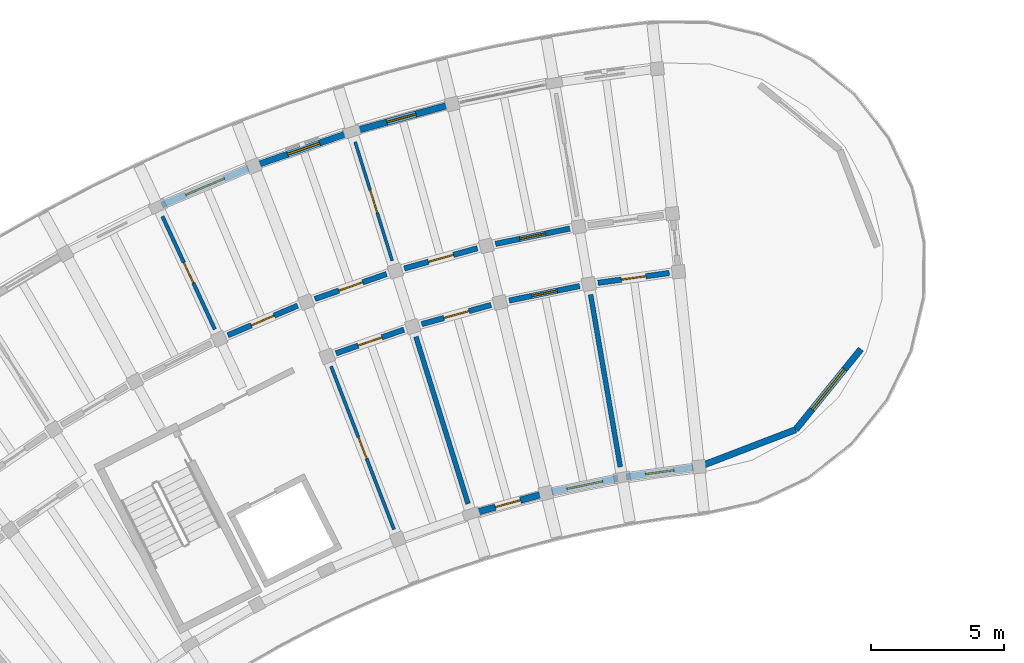
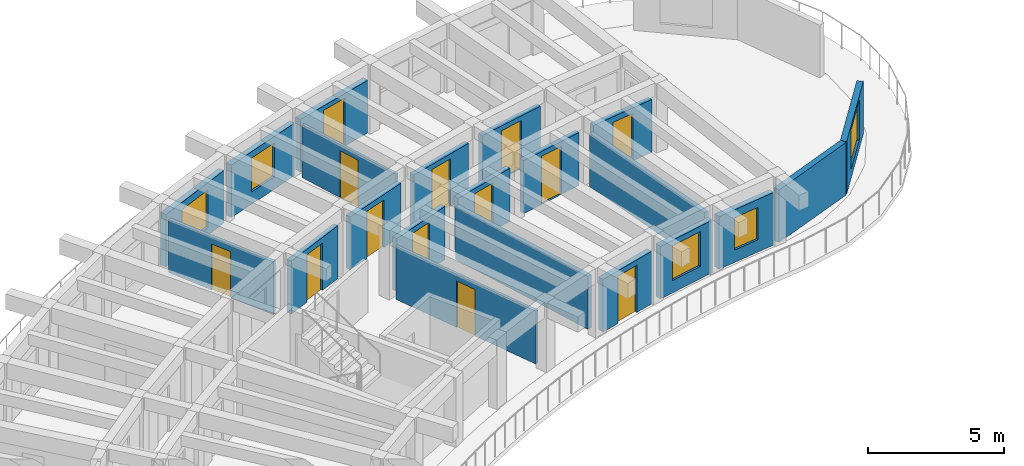
# One storey, part 49 of 83: 21 walls, 13 doors, 5 windows, 18 openings.
"""IFC4 building model written with IfcOpenShell, lengths in metres."""

import ifcopenshell
import ifcopenshell.guid

model = None  # the IFC model being written
_history = None  # IfcOwnerHistory: only IFC2X3 demands one
_inside = {}  # id of a spatial element -> (the spatial element, [elements in it])
_under = {}  # id of a project, library or spatial element -> (it, [spatial elements below it])
_declared = {}  # id of a project -> (the project, [libraries it declares])
_typed = {}  # id of a type object -> (the type object, [elements of that type])
_made_of = {}  # id of a material, layer set ... -> (it, [elements and type objects made of it])


def new_model(schema):
    """Start an empty IFC model of exactly this schema.

    Asked for "IFC4X3", IfcOpenShell would pick the latest addendum, in which some entities
    have other attributes; the version numbers below select the first issue.
    IFC2X3 requires an IfcOwnerHistory on every rooted entity: one is made here for all.
    """
    global model, _history
    if schema == "IFC4X3":
        model = ifcopenshell.file(schema_version=(4, 3, 0, 0))
    else:
        model = ifcopenshell.file(schema=schema)
    _inside.clear()
    _under.clear()
    _declared.clear()
    _typed.clear()
    _made_of.clear()
    _history = None
    if model.schema == "IFC2X3":
        org = make("IfcOrganization", Name="unknown")
        user = make(
            "IfcPersonAndOrganization",
            ThePerson=make("IfcPerson", FamilyName="unknown"),
            TheOrganization=org,
        )
        app = make(
            "IfcApplication",
            ApplicationDeveloper=org,
            Version="unknown",
            ApplicationFullName="unknown",
            ApplicationIdentifier="unknown",
        )
        _history = make(
            "IfcOwnerHistory",
            OwningUser=user,
            OwningApplication=app,
            ChangeAction="ADDED",
            CreationDate=0,
        )
    return model


def make(cls, **values):
    """One entity of the class cls with the attributes given. An attribute that is None is left unset."""
    return model.create_entity(
        cls, **{name: value for name, value in values.items() if value is not None}
    )


def rooted(cls, **values):
    """An entity with a GlobalId (a new one), such as an element, a storey or a relation."""
    return make(cls, GlobalId=ifcopenshell.guid.new(), OwnerHistory=_history, **values)


def si_unit(unit_type, name, prefix=None):
    """IfcSIUnit, for example si_unit("LENGTHUNIT", "METRE", prefix="MILLI")."""
    return make("IfcSIUnit", UnitType=unit_type, Prefix=prefix, Name=name)


def assignment(units):
    """IfcUnitAssignment: the units of a project."""
    return None if units is None else make("IfcUnitAssignment", Units=units)


def point(xyz):
    """IfcCartesianPoint."""
    return None if xyz is None else make("IfcCartesianPoint", Coordinates=xyz)


def direction(xyz):
    """IfcDirection."""
    return None if xyz is None else make("IfcDirection", DirectionRatios=xyz)


def frame(location, z_axis=None, x_axis=None):
    """IfcAxis2Placement3D, a coordinate frame: its origin and axes. An axis left out is left unset."""
    return make(
        "IfcAxis2Placement3D",
        Location=point(location),
        Axis=direction(z_axis),
        RefDirection=direction(x_axis),
    )


def frame_2d(location, x_axis=None):
    """IfcAxis2Placement2D, a coordinate frame in the plane: its origin and x axis."""
    return make(
        "IfcAxis2Placement2D", Location=point(location), RefDirection=direction(x_axis)
    )


def origin():
    """The frame at (0, 0, 0) with its axes left unset."""
    return frame((0.0, 0.0, 0.0))


def place(relative_to, where):
    """IfcLocalPlacement: puts the frame where relative to a parent placement (None: the world)."""
    return make(
        "IfcLocalPlacement", PlacementRelTo=relative_to, RelativePlacement=where
    )


def context(
    kind, dimensions, precision=None, world=None, true_north=None, identifier=None
):
    """IfcGeometricRepresentationContext, for example the 3D "Model" context."""
    return make(
        "IfcGeometricRepresentationContext",
        ContextIdentifier=identifier,
        ContextType=kind,
        CoordinateSpaceDimension=dimensions,
        Precision=precision,
        WorldCoordinateSystem=world,
        TrueNorth=true_north,
    )


def subcontext(parent, identifier, kind, view, scale=None):
    """IfcGeometricRepresentationSubContext, for example "Body" below "Model"."""
    return make(
        "IfcGeometricRepresentationSubContext",
        ContextIdentifier=identifier,
        ContextType=kind,
        ParentContext=parent,
        TargetScale=scale,
        TargetView=view,
    )


def project(units=None, contexts=None):
    """IfcProject with its units and contexts."""
    return rooted(
        "IfcProject",
        Name="project",
        RepresentationContexts=contexts,
        UnitsInContext=assignment(units),
    )


def spatial(cls, under=None, at=None, **own):
    """A site, building, storey or space (cls), placed at a placement, below another one or the project."""
    s = rooted(cls, ObjectPlacement=at, **own)
    if under is not None:
        _under.setdefault(under.id(), (under, []))[1].append(s)
    return s


def profile(cls, at=None, kind="AREA", **sizes):
    """A parametric profile (cls). Its sizes go by their IFC names, for example OverallWidth=200.0."""
    return make(cls, ProfileType=kind, Position=at, **sizes)


def rectangle(**sizes):
    """IfcRectangleProfileDef."""
    return profile("IfcRectangleProfileDef", **sizes)


def extrude(swept, where, along, depth):
    """IfcExtrudedAreaSolid: the profile swept, set in the frame where, extruded along a direction by depth."""
    return make(
        "IfcExtrudedAreaSolid",
        SweptArea=swept,
        Position=where,
        ExtrudedDirection=direction(along),
        Depth=depth,
    )


def shape(context_of_items, identifier, shape_type, items):
    """IfcShapeRepresentation: the items that make up one representation, for example the "Body"."""
    return make(
        "IfcShapeRepresentation",
        ContextOfItems=context_of_items,
        RepresentationIdentifier=identifier,
        RepresentationType=shape_type,
        Items=items,
    )


def material(Name=None, Category=None):
    """IfcMaterial."""
    return make("IfcMaterial", Name=Name, Category=Category)


def layer(
    of_material, thickness, ventilated=None, Name=None, Category=None, Priority=None
):
    """IfcMaterialLayer: one layer of a wall or slab, of a material (None: an air gap)."""
    return make(
        "IfcMaterialLayer",
        Material=of_material,
        LayerThickness=thickness,
        IsVentilated=ventilated,
        Name=Name,
        Category=Category,
        Priority=Priority,
    )


def layer_set(layers, Name=None):
    """IfcMaterialLayerSet."""
    return make("IfcMaterialLayerSet", MaterialLayers=layers, LayerSetName=Name)


def made_of(thing, what):
    """Note that an element or type object is made of a material, layer set ...; save() writes the relation."""
    if what is not None:
        _made_of.setdefault(what.id(), (what, []))[1].append(thing)
    return thing


def type_object(cls, material=None, **own):
    """A type object (cls), such as IfcWallType, which elements share."""
    return made_of(rooted(cls, **own), material)


def element(
    cls,
    number,
    at=None,
    inside=None,
    cuts=None,
    type_object=None,
    material=None,
    context=None,
    identifier="Body",
    shape_type=None,
    held_by="IfcProductDefinitionShape",
    body=None,
    shapes=None,
    **own,
):
    """One element of the class cls, such as IfcWall. Its Tag is "e" and its number.

    at: its placement. inside: the storey or other place that contains it. cuts: it is an
    opening in that element (IfcRelVoidsElement). A single representation is given by context,
    identifier, shape_type and body (its items); several are given by shapes. held_by: the class
    of the entity that holds the representations. save() writes the other relations.
    """
    e = rooted(cls, Tag="e%d" % number, ObjectPlacement=at, **own)
    if body is not None:
        shapes = [shape(context, identifier, shape_type, body)]
    if shapes is not None:
        e.Representation = make(held_by, Representations=shapes)
    if inside is not None:
        _inside.setdefault(inside.id(), (inside, []))[1].append(e)
    if cuts is not None:
        rooted(
            "IfcRelVoidsElement", RelatingBuildingElement=cuts, RelatedOpeningElement=e
        )
    if type_object is not None:
        _typed.setdefault(type_object.id(), (type_object, []))[1].append(e)
    return made_of(e, material)


def fill(opening, filler):
    """IfcRelFillsElement: the door or window that sits in an opening."""
    return rooted(
        "IfcRelFillsElement",
        RelatingOpeningElement=opening,
        RelatedBuildingElement=filler,
    )


def aggregate(whole, parts):
    """IfcRelAggregates: a whole, such as a stair, and the parts it consists of."""
    return rooted("IfcRelAggregates", RelatingObject=whole, RelatedObjects=parts)


def save(model, path):
    """Write the relations noted so far, then the file.

    IfcRelAggregates (storeys below a building ...), IfcRelContainedInSpatialStructure (elements
    in a storey), IfcRelDefinesByType, IfcRelAssociatesMaterial and IfcRelDeclares: one each for
    every whole, place, type object, material and project.
    """
    for whole, parts in _under.values():
        aggregate(whole, parts)
    for where, things in _inside.values():
        rooted(
            "IfcRelContainedInSpatialStructure",
            RelatedElements=things,
            RelatingStructure=where,
        )
    for kind, things in _typed.values():
        rooted("IfcRelDefinesByType", RelatedObjects=things, RelatingType=kind)
    for what, things in _made_of.values():
        rooted("IfcRelAssociatesMaterial", RelatedObjects=things, RelatingMaterial=what)
    for by, libraries in _declared.values():
        rooted("IfcRelDeclares", RelatingContext=by, RelatedDefinitions=libraries)
    model.write(path)


model = new_model("IFC4")

# Units and contexts
model_context = context("Model", 3, precision=1e-05, world=origin(), true_north=direction((0.0, 1.0)))
body_context = subcontext(model_context, "Body", "Model", "MODEL_VIEW")
ifc_project = project(units=[si_unit("LENGTHUNIT", "METRE"), si_unit("AREAUNIT", "SQUARE_METRE"), si_unit("VOLUMEUNIT", "CUBIC_METRE"), si_unit("PLANEANGLEUNIT", "RADIAN"), si_unit("MASSUNIT", "GRAM", prefix="KILO")], contexts=[model_context])

# Site, building, storey
site_placement = place(None, origin())
site = spatial("IfcSite", under=ifc_project, at=site_placement, CompositionType="ELEMENT")
building_placement = place(site_placement, origin())
building = spatial("IfcBuilding", under=site, at=building_placement, Name="Tanwirah Colonnade Gardens", CompositionType="ELEMENT")
storey_placement = place(building_placement, frame((0.0, 0.0, 25.639892578125)))
storey = spatial("IfcBuildingStorey", under=building, at=storey_placement, Name="L07", CompositionType="ELEMENT", Elevation=25.639892578125)

# Wall, opening, window
ifc_material_1 = material(Name="Limestone architectural precast concrete C40/50", Category="masonry")
ifc_layer_1 = layer(ifc_material_1, 0.2451171875)
ifc_layer_set_1 = layer_set([ifc_layer_1], Name="Limestone architectural precast concrete C40/50")
wall_type_1 = type_object("IfcWallType", Name="EW-PC245", PredefinedType="SOLIDWALL", material=ifc_layer_set_1)
wall_1_placement = place(storey_placement, frame((60.1357421875, 104.376220703125, 0.0), z_axis=(0.0, 0.0, 1.0), x_axis=(-0.990545464245, -0.137184850707, 0.0)))
wall_1 = element("IfcWall", 1, at=wall_1_placement, inside=storey, type_object=wall_type_1, Name="Block A L07 IN Precast Facade Wall 0", PredefinedType="SOLIDWALL", context=body_context, shape_type="SweptSolid", body=[
    extrude(rectangle(XDim=2.55029296875, YDim=0.2451171875, at=frame_2d((1.275146484375, 0.0))), origin(), (0.0, 0.0, 1.0), 2.355224609375),
])
opening_1_placement = place(wall_1_placement, frame((0.735107421875, 0.0, 0.550048828125)))
opening_1 = element("IfcOpeningElement", 2, at=opening_1_placement, cuts=wall_1, Name="Opening WIN-T15", PredefinedType="OPENING", context=body_context, shape_type="SweptSolid", body=[
    extrude(rectangle(XDim=1.080078125, YDim=1.449951171875, at=frame_2d((0.5400390625, 0.72509765625))), frame((0.0, 0.132568359375, 0.0), z_axis=(0.0, -1.0, 0.0), x_axis=(1.0, 0.0, 0.0)), (0.0, 0.0, 1.0), 0.26513671875),
])
ifc_material_2 = material(Name="Thermally broken bronze aluminium and solar low-E double glazing", Category="aluminium")
window_type_1 = type_object("IfcWindowType", Name="WIN-T15", PartitioningType="SINGLE_PANEL", PredefinedType="WINDOW", material=ifc_material_2)
window_1_placement = place(opening_1_placement, origin())
window_1 = element("IfcWindow", 3, at=window_1_placement, inside=storey, type_object=window_type_1, Name="Facade window A-L07-IN-00", OverallHeight=1.449951171875, OverallWidth=1.080078125, PartitioningType="SINGLE_PANEL", PredefinedType="WINDOW", context=body_context, shape_type="SweptSolid", body=[
    extrude(rectangle(XDim=1.080078125, YDim=1.449951171875, at=frame_2d((0.5400390625, 0.72509765625))), frame((0.0, 0.030029296875, 0.0), z_axis=(0.0, -1.0, 0.0), x_axis=(1.0, 0.0, 0.0)), (0.0, 0.0, 1.0), 0.06005859375),
])
fill(opening_1, window_1)

wall_2_placement = place(storey_placement, frame((57.29443359375, 103.971923828125, 0.0), z_axis=(0.0, 0.0, 1.0), x_axis=(-0.979346784625, -0.202187723277, 0.0)))
wall_2 = element("IfcWall", 4, at=wall_2_placement, inside=storey, type_object=wall_type_1, Name="Block A L07 IN Precast Facade Wall 1", PredefinedType="SOLIDWALL", context=body_context, shape_type="SweptSolid", body=[
    extrude(rectangle(XDim=2.55029296875, YDim=0.2451171875, at=frame_2d((1.275146484375, 0.0))), origin(), (0.0, 0.0, 1.0), 2.355224609375),
])
opening_2_placement = place(wall_2_placement, frame((0.585205078125, 0.0, 0.550048828125)))
opening_2 = element("IfcOpeningElement", 5, at=opening_2_placement, cuts=wall_2, Name="Opening WIN-T18", PredefinedType="OPENING", context=body_context, shape_type="SweptSolid", body=[
    extrude(rectangle(XDim=1.3798828125, YDim=1.56005859375, at=frame_2d((0.68994140625, 0.780029296875))), frame((0.0, 0.132568359375, 0.0), z_axis=(0.0, -1.0, 0.0), x_axis=(1.0, 0.0, 0.0)), (0.0, 0.0, 1.0), 0.26513671875),
])
window_type_2 = type_object("IfcWindowType", Name="WIN-T18", PartitioningType="DOUBLE_PANEL_VERTICAL", PredefinedType="WINDOW", material=ifc_material_2)
window_2_placement = place(opening_2_placement, origin())
window_2 = element("IfcWindow", 6, at=window_2_placement, inside=storey, type_object=window_type_2, Name="Facade window A-L07-IN-01", OverallHeight=1.56005859375, OverallWidth=1.3798828125, PartitioningType="SINGLE_PANEL", PredefinedType="WINDOW", context=body_context, shape_type="SweptSolid", body=[
    extrude(rectangle(XDim=1.3798828125, YDim=1.56005859375, at=frame_2d((0.68994140625, 0.780029296875))), frame((0.0, 0.030029296875, 0.0), z_axis=(0.0, -1.0, 0.0), x_axis=(1.0, 0.0, 0.0)), (0.0, 0.0, 1.0), 0.06005859375),
])
fill(opening_2, window_2)

# Wall, opening, door
wall_3_placement = place(storey_placement, frame((50.830078125, 118.032470703125, 0.0), z_axis=(0.0, 0.0, 1.0), x_axis=(-0.963900652569, -0.266262148974, 0.0)))
wall_3 = element("IfcWall", 7, at=wall_3_placement, inside=storey, type_object=wall_type_1, Name="Block A L07 OUT Precast Facade Wall 2", PredefinedType="SOLIDWALL", context=body_context, shape_type="SweptSolid", body=[
    extrude(rectangle(XDim=3.545654296875, YDim=0.2451171875, at=frame_2d((1.77294921875, 0.0))), origin(), (0.0, 0.0, 1.0), 2.355224609375),
])
opening_3_placement = place(wall_3_placement, frame((1.202880859375, 0.0, 0.0)))
opening_3 = element("IfcOpeningElement", 8, at=opening_3_placement, cuts=wall_3, Name="Opening L07-ED031", PredefinedType="OPENING", context=body_context, shape_type="SweptSolid", body=[
    extrude(rectangle(XDim=1.139892578125, YDim=2.159912109375, at=frame_2d((0.56982421875, 1.080078125))), frame((0.0, 0.132568359375, 0.0), z_axis=(0.0, -1.0, 0.0), x_axis=(1.0, 0.0, 0.0)), (0.0, 0.0, 1.0), 0.26513671875),
])
ifc_material_3 = material(Name="Bronze aluminium glazed balcony door", Category="aluminium")
door_type_1 = type_object("IfcDoorType", Name="ED-BAL114", OperationType="NOTDEFINED", PredefinedType="DOOR", material=ifc_material_3)
door_1_placement = place(opening_3_placement, origin())
door_1 = element("IfcDoor", 9, at=door_1_placement, inside=storey, type_object=door_type_1, Name="Balcony glazed door L07-ED031", OperationType="SINGLE_SWING_RIGHT", OverallHeight=2.159912109375, OverallWidth=1.139892578125, PredefinedType="DOOR", context=body_context, shape_type="SweptSolid", body=[
    extrude(rectangle(XDim=1.139892578125, YDim=2.159912109375, at=frame_2d((0.56982421875, 1.080078125))), frame((0.0, 0.02490234375, 0.0), z_axis=(0.0, -1.0, 0.0), x_axis=(1.0, 0.0, 0.0)), (0.0, 0.0, 1.0), 0.050048828125),
])
fill(opening_3, door_1)

wall_4_placement = place(storey_placement, frame((54.369384765625, 103.353271484375, 0.0), z_axis=(0.0, 0.0, 1.0), x_axis=(-0.963885917636, -0.266315485437, 0.0)))
wall_4 = element("IfcWall", 10, at=wall_4_placement, inside=storey, type_object=wall_type_1, Name="Block A L07 IN Precast Facade Wall 2", PredefinedType="SOLIDWALL", context=body_context, shape_type="SweptSolid", body=[
    extrude(rectangle(XDim=2.55029296875, YDim=0.2451171875, at=frame_2d((1.275146484375, 0.0))), origin(), (0.0, 0.0, 1.0), 2.355224609375),
])
opening_4_placement = place(wall_4_placement, frame((0.78515625, 0.0, 0.0)))
opening_4 = element("IfcOpeningElement", 11, at=opening_4_placement, cuts=wall_4, Name="Opening L07-ED032", PredefinedType="OPENING", context=body_context, shape_type="SweptSolid", body=[
    extrude(rectangle(XDim=0.97998046875, YDim=2.1201171875, at=frame_2d((0.489990234375, 1.06005859375))), frame((0.0, 0.132568359375, 0.0), z_axis=(0.0, -1.0, 0.0), x_axis=(1.0, 0.0, 0.0)), (0.0, 0.0, 1.0), 0.26513671875),
])
door_type_2 = type_object("IfcDoorType", Name="ED-BAL098", OperationType="NOTDEFINED", PredefinedType="DOOR", material=ifc_material_3)
door_2_placement = place(opening_4_placement, origin())
door_2 = element("IfcDoor", 12, at=door_2_placement, inside=storey, type_object=door_type_2, Name="Balcony glazed door L07-ED032", OperationType="SINGLE_SWING_RIGHT", OverallHeight=2.1201171875, OverallWidth=0.97998046875, PredefinedType="DOOR", context=body_context, shape_type="SweptSolid", body=[
    extrude(rectangle(XDim=0.97998046875, YDim=2.1201171875, at=frame_2d((0.489990234375, 1.06005859375))), frame((0.0, 0.02490234375, 0.0), z_axis=(0.0, -1.0, 0.0), x_axis=(1.0, 0.0, 0.0)), (0.0, 0.0, 1.0), 0.050048828125),
])
fill(opening_4, door_2)

# Wall, opening, window
wall_5_placement = place(storey_placement, frame((47.107177734375, 116.992919921875, 0.0), z_axis=(0.0, 0.0, 1.0), x_axis=(-0.944263407445, -0.329190852486, 0.0)))
wall_5 = element("IfcWall", 13, at=wall_5_placement, inside=storey, type_object=wall_type_1, Name="Block A L07 OUT Precast Facade Wall 3", PredefinedType="SOLIDWALL", context=body_context, shape_type="SweptSolid", body=[
    extrude(rectangle(XDim=3.545654296875, YDim=0.2451171875, at=frame_2d((1.77294921875, 0.0))), origin(), (0.0, 0.0, 1.0), 2.355224609375),
])
opening_5_placement = place(wall_5_placement, frame((1.1328125, 0.0, 0.550048828125)))
opening_5 = element("IfcOpeningElement", 14, at=opening_5_placement, cuts=wall_5, Name="Opening WIN-T17", PredefinedType="OPENING", context=body_context, shape_type="SweptSolid", body=[
    extrude(rectangle(XDim=1.280029296875, YDim=1.52001953125, at=frame_2d((0.64013671875, 0.760009765625))), frame((0.0, 0.132568359375, 0.0), z_axis=(0.0, -1.0, 0.0), x_axis=(1.0, 0.0, 0.0)), (0.0, 0.0, 1.0), 0.26513671875),
])
window_type_3 = type_object("IfcWindowType", Name="WIN-T17", PartitioningType="SINGLE_PANEL", PredefinedType="WINDOW", material=ifc_material_2)
window_3_placement = place(opening_5_placement, origin())
window_3 = element("IfcWindow", 15, at=window_3_placement, inside=storey, type_object=window_type_3, Name="Facade window A-L07-OUT-03", OverallHeight=1.52001953125, OverallWidth=1.280029296875, PartitioningType="SINGLE_PANEL", PredefinedType="WINDOW", context=body_context, shape_type="SweptSolid", body=[
    extrude(rectangle(XDim=1.280029296875, YDim=1.52001953125, at=frame_2d((0.64013671875, 0.760009765625))), frame((0.0, 0.030029296875, 0.0), z_axis=(0.0, -1.0, 0.0), x_axis=(1.0, 0.0, 0.0)), (0.0, 0.0, 1.0), 0.06005859375),
])
fill(opening_5, window_3)

wall_6_placement = place(storey_placement, frame((43.348876953125, 115.667236328125, 0.0), z_axis=(0.0, 0.0, 1.0), x_axis=(-0.920499995037, -0.390742574002, 0.0)))
wall_6 = element("IfcWall", 16, at=wall_6_placement, inside=storey, type_object=wall_type_1, Name="Block A L07 OUT Precast Facade Wall 4", PredefinedType="SOLIDWALL", context=body_context, shape_type="SweptSolid", body=[
    extrude(rectangle(XDim=3.5458984375, YDim=0.2451171875, at=frame_2d((1.77294921875, 0.0))), origin(), (0.0, 0.0, 1.0), 2.355224609375),
])
opening_6_placement = place(wall_6_placement, frame((0.98291015625, 0.0, 0.35009765625)))
opening_6 = element("IfcOpeningElement", 17, at=opening_6_placement, cuts=wall_6, Name="Opening WIN-T20", PredefinedType="OPENING", context=body_context, shape_type="SweptSolid", body=[
    extrude(rectangle(XDim=1.580078125, YDim=1.679931640625, at=frame_2d((0.7900390625, 0.83984375))), frame((0.0, 0.132568359375, 0.0), z_axis=(0.0, -1.0, 0.0), x_axis=(1.0, 0.0, 0.0)), (0.0, 0.0, 1.0), 0.26513671875),
])
window_type_4 = type_object("IfcWindowType", Name="WIN-T20", PartitioningType="DOUBLE_PANEL_VERTICAL", PredefinedType="WINDOW", material=ifc_material_2)
window_4_placement = place(opening_6_placement, origin())
window_4 = element("IfcWindow", 18, at=window_4_placement, inside=storey, type_object=window_type_4, Name="Facade window A-L07-OUT-04", OverallHeight=1.679931640625, OverallWidth=1.580078125, PartitioningType="SINGLE_PANEL", PredefinedType="WINDOW", context=body_context, shape_type="SweptSolid", body=[
    extrude(rectangle(XDim=1.580078125, YDim=1.679931640625, at=frame_2d((0.7900390625, 0.83984375))), frame((0.0, 0.030029296875, 0.0), z_axis=(0.0, -1.0, 0.0), x_axis=(1.0, 0.0, 0.0)), (0.0, 0.0, 1.0), 0.06005859375),
])
fill(opening_6, window_4)

wall_7_placement = place(storey_placement, frame((66.461669921875, 108.84423828125, 0.0), z_axis=(0.0, 0.0, 1.0), x_axis=(-0.629331205321, -0.777137204109, 0.0)))
wall_7 = element("IfcWall", 19, at=wall_7_placement, inside=storey, type_object=wall_type_1, Name="Block A L07 START Rounded End Wall 4", PredefinedType="SOLIDWALL", context=body_context, shape_type="SweptSolid", body=[
    extrude(rectangle(XDim=3.907958984375, YDim=0.2451171875, at=frame_2d((1.9541015625, 0.0))), origin(), (0.0, 0.0, 1.0), 2.355224609375),
])
opening_7_placement = place(wall_7_placement, frame((0.97900390625, 0.0, 0.39990234375)))
opening_7 = element("IfcOpeningElement", 20, at=opening_7_placement, cuts=wall_7, Name="Opening WIN-END2", PredefinedType="OPENING", context=body_context, shape_type="SweptSolid", body=[
    extrude(rectangle(XDim=1.949951171875, YDim=1.780029296875, at=frame_2d((0.97509765625, 0.89013671875))), frame((0.0, 0.132568359375, 0.0), z_axis=(0.0, -1.0, 0.0), x_axis=(1.0, 0.0, 0.0)), (0.0, 0.0, 1.0), 0.26513671875),
])
window_type_5 = type_object("IfcWindowType", Name="WIN-END2", PartitioningType="TRIPLE_PANEL_VERTICAL", PredefinedType="WINDOW", material=ifc_material_2)
window_5_placement = place(opening_7_placement, origin())
window_5 = element("IfcWindow", 21, at=window_5_placement, inside=storey, type_object=window_type_5, Name="Rounded corner window A-L07-START-4", OverallHeight=1.780029296875, OverallWidth=1.949951171875, PartitioningType="SINGLE_PANEL", PredefinedType="WINDOW", context=body_context, shape_type="SweptSolid", body=[
    extrude(rectangle(XDim=1.949951171875, YDim=1.780029296875, at=frame_2d((0.97509765625, 0.89013671875))), frame((0.0, 0.030029296875, 0.0), z_axis=(0.0, -1.0, 0.0), x_axis=(1.0, 0.0, 0.0)), (0.0, 0.0, 1.0), 0.06005859375),
])
fill(opening_7, window_5)

# Wall
wall_8_placement = place(storey_placement, frame((64.002197265625, 105.80712890625, 0.0), z_axis=(0.0, 0.0, 1.0), x_axis=(-0.93356922619, -0.35839712598, 0.0)))
element("IfcWall", 22, at=wall_8_placement, inside=storey, type_object=wall_type_1, Name="Block A L07 START Rounded End Wall 5", PredefinedType="SOLIDWALL", context=body_context, shape_type="SweptSolid", body=[
    extrude(rectangle(XDim=3.907958984375, YDim=0.2451171875, at=frame_2d((1.9541015625, 0.0))), origin(), (0.0, 0.0, 1.0), 2.355224609375),
])

# Wall, opening, door
ifc_material_4 = material(Name="Precast concrete C40/50", Category="concrete")
ifc_layer_2 = layer(ifc_material_4, 0.205078125)
ifc_layer_set_2 = layer_set([ifc_layer_2], Name="Precast concrete C40/50")
wall_type_2 = type_object("IfcWallType", Name="IW-CORR205", PredefinedType="PARTITIONING", material=ifc_layer_set_2)
wall_9_placement = place(storey_placement, frame((59.2333984375, 111.718017578125, 0.0), z_axis=(0.0, 0.0, 1.0), x_axis=(-0.990535404475, -0.137257467855, 0.0)))
wall_9 = element("IfcWall", 23, at=wall_9_placement, inside=storey, type_object=wall_type_2, Name="Block A L07 IN Corridor Wall 0", PredefinedType="PARTITIONING", context=body_context, shape_type="SweptSolid", body=[
    extrude(rectangle(XDim=2.7177734375, YDim=0.205078125, at=frame_2d((1.35888671875, 0.0))), origin(), (0.0, 0.0, 1.0), 2.3701171875),
])
opening_8_placement = place(wall_9_placement, frame((0.89404296875, 0.0, 0.0)))
opening_8 = element("IfcOpeningElement", 24, at=opening_8_placement, cuts=wall_9, Name="Opening L07-AD516", PredefinedType="OPENING", context=body_context, shape_type="SweptSolid", body=[
    extrude(rectangle(XDim=0.929931640625, YDim=2.1201171875, at=frame_2d((0.46484375, 1.06005859375))), frame((0.0, 0.112548828125, 0.0), z_axis=(0.0, -1.0, 0.0), x_axis=(1.0, 0.0, 0.0)), (0.0, 0.0, 1.0), 0.22509765625),
])
ifc_material_5 = material(Name="Solid oak fire-resisting apartment entrance door")
door_type_3 = type_object("IfcDoorType", Name="ID-FLT093", OperationType="NOTDEFINED", PredefinedType="DOOR", material=ifc_material_5)
door_3_placement = place(opening_8_placement, origin())
door_3 = element("IfcDoor", 25, at=door_3_placement, inside=storey, type_object=door_type_3, Name="Apartment corridor door L07-AD516", OperationType="SINGLE_SWING_LEFT", OverallHeight=2.1201171875, OverallWidth=0.929931640625, PredefinedType="DOOR", context=body_context, shape_type="SweptSolid", body=[
    extrude(rectangle(XDim=0.929931640625, YDim=2.1201171875, at=frame_2d((0.46484375, 1.06005859375))), frame((0.0, 0.02490234375, 0.0), z_axis=(0.0, -1.0, 0.0), x_axis=(1.0, 0.0, 0.0)), (0.0, 0.0, 1.0), 0.050048828125),
])
fill(opening_8, door_3)

wall_10_placement = place(storey_placement, frame((55.47802734375, 113.39404296875, 0.0), z_axis=(0.0, 0.0, 1.0), x_axis=(-0.979348418612, -0.202179808492, 0.0)))
wall_10 = element("IfcWall", 26, at=wall_10_placement, inside=storey, type_object=wall_type_2, Name="Block A L07 OUT Corridor Wall 1", PredefinedType="PARTITIONING", context=body_context, shape_type="SweptSolid", body=[
    extrude(rectangle(XDim=2.863037109375, YDim=0.205078125, at=frame_2d((1.431640625, 0.0))), origin(), (0.0, 0.0, 1.0), 2.3701171875),
])
opening_9_placement = place(wall_10_placement, frame((0.9365234375, 0.0, 0.0)))
opening_9 = element("IfcOpeningElement", 27, at=opening_9_placement, cuts=wall_10, Name="Opening L07-AD518", PredefinedType="OPENING", context=body_context, shape_type="SweptSolid", body=[
    extrude(rectangle(XDim=0.989990234375, YDim=2.159912109375, at=frame_2d((0.4951171875, 1.080078125))), frame((0.0, 0.112548828125, 0.0), z_axis=(0.0, -1.0, 0.0), x_axis=(1.0, 0.0, 0.0)), (0.0, 0.0, 1.0), 0.22509765625),
])
door_type_4 = type_object("IfcDoorType", Name="ID-FLT099", OperationType="NOTDEFINED", PredefinedType="DOOR", material=ifc_material_5)
door_4_placement = place(opening_9_placement, origin())
door_4 = element("IfcDoor", 28, at=door_4_placement, inside=storey, type_object=door_type_4, Name="Apartment corridor door L07-AD518", OperationType="SINGLE_SWING_LEFT", OverallHeight=2.159912109375, OverallWidth=0.989990234375, PredefinedType="DOOR", context=body_context, shape_type="SweptSolid", body=[
    extrude(rectangle(XDim=0.989990234375, YDim=2.159912109375, at=frame_2d((0.4951171875, 1.080078125))), frame((0.0, 0.02490234375, 0.0), z_axis=(0.0, -1.0, 0.0), x_axis=(1.0, 0.0, 0.0)), (0.0, 0.0, 1.0), 0.050048828125),
])
fill(opening_9, door_4)

wall_11_placement = place(storey_placement, frame((55.851806640625, 111.22607421875, 0.0), z_axis=(0.0, 0.0, 1.0), x_axis=(-0.979349423541, -0.202174940608, 0.0)))
wall_11 = element("IfcWall", 29, at=wall_11_placement, inside=storey, type_object=wall_type_2, Name="Block A L07 IN Corridor Wall 1", PredefinedType="PARTITIONING", context=body_context, shape_type="SweptSolid", body=[
    extrude(rectangle(XDim=2.71826171875, YDim=0.205078125, at=frame_2d((1.359130859375, 0.0))), origin(), (0.0, 0.0, 1.0), 2.3701171875),
])
opening_10_placement = place(wall_11_placement, frame((0.864013671875, 0.0, 0.0)))
opening_10 = element("IfcOpeningElement", 30, at=opening_10_placement, cuts=wall_11, Name="Opening L07-AD519", PredefinedType="OPENING", context=body_context, shape_type="SweptSolid", body=[
    extrude(rectangle(XDim=0.989990234375, YDim=2.159912109375, at=frame_2d((0.4951171875, 1.080078125))), frame((0.0, 0.112548828125, 0.0), z_axis=(0.0, -1.0, 0.0), x_axis=(1.0, 0.0, 0.0)), (0.0, 0.0, 1.0), 0.22509765625),
])
door_5_placement = place(opening_10_placement, origin())
door_5 = element("IfcDoor", 31, at=door_5_placement, inside=storey, type_object=door_type_4, Name="Apartment corridor door L07-AD519", OperationType="SINGLE_SWING_RIGHT", OverallHeight=2.159912109375, OverallWidth=0.989990234375, PredefinedType="DOOR", context=body_context, shape_type="SweptSolid", body=[
    extrude(rectangle(XDim=0.989990234375, YDim=2.159912109375, at=frame_2d((0.4951171875, 1.080078125))), frame((0.0, 0.02490234375, 0.0), z_axis=(0.0, -1.0, 0.0), x_axis=(1.0, 0.0, 0.0)), (0.0, 0.0, 1.0), 0.050048828125),
])
fill(opening_10, door_5)

wall_12_placement = place(storey_placement, frame((51.993896484375, 112.651123046875, 0.0), z_axis=(0.0, 0.0, 1.0), x_axis=(-0.963890789093, -0.266297853356, 0.0)))
wall_12 = element("IfcWall", 32, at=wall_12_placement, inside=storey, type_object=wall_type_2, Name="Block A L07 OUT Corridor Wall 2", PredefinedType="PARTITIONING", context=body_context, shape_type="SweptSolid", body=[
    extrude(rectangle(XDim=2.863037109375, YDim=0.205078125, at=frame_2d((1.431640625, 0.0))), origin(), (0.0, 0.0, 1.0), 2.3701171875),
])
opening_11_placement = place(wall_12_placement, frame((0.946533203125, 0.0, 0.0)))
opening_11 = element("IfcOpeningElement", 33, at=opening_11_placement, cuts=wall_12, Name="Opening L07-AD520", PredefinedType="OPENING", context=body_context, shape_type="SweptSolid", body=[
    extrude(rectangle(XDim=0.969970703125, YDim=2.14990234375, at=frame_2d((0.48486328125, 1.074951171875))), frame((0.0, 0.112548828125, 0.0), z_axis=(0.0, -1.0, 0.0), x_axis=(1.0, 0.0, 0.0)), (0.0, 0.0, 1.0), 0.22509765625),
])
door_type_5 = type_object("IfcDoorType", Name="ID-FLT097", OperationType="NOTDEFINED", PredefinedType="DOOR", material=ifc_material_5)
door_6_placement = place(opening_11_placement, origin())
door_6 = element("IfcDoor", 34, at=door_6_placement, inside=storey, type_object=door_type_5, Name="Apartment corridor door L07-AD520", OperationType="SINGLE_SWING_RIGHT", OverallHeight=2.14990234375, OverallWidth=0.969970703125, PredefinedType="DOOR", context=body_context, shape_type="SweptSolid", body=[
    extrude(rectangle(XDim=0.969970703125, YDim=2.14990234375, at=frame_2d((0.48486328125, 1.074951171875))), frame((0.0, 0.02490234375, 0.0), z_axis=(0.0, -1.0, 0.0), x_axis=(1.0, 0.0, 0.0)), (0.0, 0.0, 1.0), 0.050048828125),
])
fill(opening_11, door_6)

wall_13_placement = place(storey_placement, frame((52.509521484375, 110.512451171875, 0.0), z_axis=(0.0, 0.0, 1.0), x_axis=(-0.96388375821, -0.266323301006, 0.0)))
wall_13 = element("IfcWall", 35, at=wall_13_placement, inside=storey, type_object=wall_type_2, Name="Block A L07 IN Corridor Wall 2", PredefinedType="PARTITIONING", context=body_context, shape_type="SweptSolid", body=[
    extrude(rectangle(XDim=2.718017578125, YDim=0.205078125, at=frame_2d((1.35888671875, 0.0))), origin(), (0.0, 0.0, 1.0), 2.3701171875),
])
opening_12_placement = place(wall_13_placement, frame((0.8740234375, 0.0, 0.0)))
opening_12 = element("IfcOpeningElement", 36, at=opening_12_placement, cuts=wall_13, Name="Opening L07-AD521", PredefinedType="OPENING", context=body_context, shape_type="SweptSolid", body=[
    extrude(rectangle(XDim=0.969970703125, YDim=2.14990234375, at=frame_2d((0.48486328125, 1.074951171875))), frame((0.0, 0.112548828125, 0.0), z_axis=(0.0, -1.0, 0.0), x_axis=(1.0, 0.0, 0.0)), (0.0, 0.0, 1.0), 0.22509765625),
])
door_7_placement = place(opening_12_placement, origin())
door_7 = element("IfcDoor", 37, at=door_7_placement, inside=storey, type_object=door_type_5, Name="Apartment corridor door L07-AD521", OperationType="SINGLE_SWING_LEFT", OverallHeight=2.14990234375, OverallWidth=0.969970703125, PredefinedType="DOOR", context=body_context, shape_type="SweptSolid", body=[
    extrude(rectangle(XDim=0.969970703125, YDim=2.14990234375, at=frame_2d((0.48486328125, 1.074951171875))), frame((0.0, 0.02490234375, 0.0), z_axis=(0.0, -1.0, 0.0), x_axis=(1.0, 0.0, 0.0)), (0.0, 0.0, 1.0), 0.050048828125),
])
fill(opening_12, door_7)

wall_14_placement = place(storey_placement, frame((48.56640625, 111.68017578125, 0.0), z_axis=(0.0, 0.0, 1.0), x_axis=(-0.944253820929, -0.329218349522, 0.0)))
wall_14 = element("IfcWall", 38, at=wall_14_placement, inside=storey, type_object=wall_type_2, Name="Block A L07 OUT Corridor Wall 3", PredefinedType="PARTITIONING", context=body_context, shape_type="SweptSolid", body=[
    extrude(rectangle(XDim=2.86328125, YDim=0.205078125, at=frame_2d((1.431640625, 0.0))), origin(), (0.0, 0.0, 1.0), 2.3701171875),
])
opening_13_placement = place(wall_14_placement, frame((0.95654296875, 0.0, 0.0)))
opening_13 = element("IfcOpeningElement", 39, at=opening_13_placement, cuts=wall_14, Name="Opening L07-AD523", PredefinedType="OPENING", context=body_context, shape_type="SweptSolid", body=[
    extrude(rectangle(XDim=0.949951171875, YDim=2.1298828125, at=frame_2d((0.47509765625, 1.06494140625))), frame((0.0, 0.112548828125, 0.0), z_axis=(0.0, -1.0, 0.0), x_axis=(1.0, 0.0, 0.0)), (0.0, 0.0, 1.0), 0.22509765625),
])
door_type_6 = type_object("IfcDoorType", Name="ID-FLT095", OperationType="NOTDEFINED", PredefinedType="DOOR", material=ifc_material_5)
door_8_placement = place(opening_13_placement, origin())
door_8 = element("IfcDoor", 40, at=door_8_placement, inside=storey, type_object=door_type_6, Name="Apartment corridor door L07-AD523", OperationType="SINGLE_SWING_LEFT", OverallHeight=2.1298828125, OverallWidth=0.949951171875, PredefinedType="DOOR", context=body_context, shape_type="SweptSolid", body=[
    extrude(rectangle(XDim=0.949951171875, YDim=2.1298828125, at=frame_2d((0.47509765625, 1.06494140625))), frame((0.0, 0.02490234375, 0.0), z_axis=(0.0, -1.0, 0.0), x_axis=(1.0, 0.0, 0.0)), (0.0, 0.0, 1.0), 0.050048828125),
])
fill(opening_13, door_8)

wall_15_placement = place(storey_placement, frame((49.221923828125, 109.580078125, 0.0), z_axis=(0.0, 0.0, 1.0), x_axis=(-0.944265123647, -0.329185929627, 0.0)))
wall_15 = element("IfcWall", 41, at=wall_15_placement, inside=storey, type_object=wall_type_2, Name="Block A L07 IN Corridor Wall 3", PredefinedType="PARTITIONING", context=body_context, shape_type="SweptSolid", body=[
    extrude(rectangle(XDim=2.71826171875, YDim=0.205078125, at=frame_2d((1.359130859375, 0.0))), origin(), (0.0, 0.0, 1.0), 2.3701171875),
])
opening_14_placement = place(wall_15_placement, frame((0.884033203125, 0.0, 0.0)))
opening_14 = element("IfcOpeningElement", 42, at=opening_14_placement, cuts=wall_15, Name="Opening L07-AD524", PredefinedType="OPENING", context=body_context, shape_type="SweptSolid", body=[
    extrude(rectangle(XDim=0.949951171875, YDim=2.1298828125, at=frame_2d((0.47509765625, 1.06494140625))), frame((0.0, 0.112548828125, 0.0), z_axis=(0.0, -1.0, 0.0), x_axis=(1.0, 0.0, 0.0)), (0.0, 0.0, 1.0), 0.22509765625),
])
door_9_placement = place(opening_14_placement, origin())
door_9 = element("IfcDoor", 43, at=door_9_placement, inside=storey, type_object=door_type_6, Name="Apartment corridor door L07-AD524", OperationType="SINGLE_SWING_RIGHT", OverallHeight=2.1298828125, OverallWidth=0.949951171875, PredefinedType="DOOR", context=body_context, shape_type="SweptSolid", body=[
    extrude(rectangle(XDim=0.949951171875, YDim=2.1298828125, at=frame_2d((0.47509765625, 1.06494140625))), frame((0.0, 0.02490234375, 0.0), z_axis=(0.0, -1.0, 0.0), x_axis=(1.0, 0.0, 0.0)), (0.0, 0.0, 1.0), 0.050048828125),
])
fill(opening_14, door_9)

wall_16_placement = place(storey_placement, frame((45.210205078125, 110.485595703125, 0.0), z_axis=(0.0, 0.0, 1.0), x_axis=(-0.920511160294, -0.390716270168, 0.0)))
wall_16 = element("IfcWall", 44, at=wall_16_placement, inside=storey, type_object=wall_type_2, Name="Block A L07 OUT Corridor Wall 4", PredefinedType="PARTITIONING", context=body_context, shape_type="SweptSolid", body=[
    extrude(rectangle(XDim=2.863037109375, YDim=0.205078125, at=frame_2d((1.431640625, 0.0))), origin(), (0.0, 0.0, 1.0), 2.3701171875),
])
opening_15_placement = place(wall_16_placement, frame((0.966552734375, 0.0, 0.0)))
opening_15 = element("IfcOpeningElement", 45, at=opening_15_placement, cuts=wall_16, Name="Opening L07-AD526", PredefinedType="OPENING", context=body_context, shape_type="SweptSolid", body=[
    extrude(rectangle(XDim=0.929931640625, YDim=2.1201171875, at=frame_2d((0.46484375, 1.06005859375))), frame((0.0, 0.112548828125, 0.0), z_axis=(0.0, -1.0, 0.0), x_axis=(1.0, 0.0, 0.0)), (0.0, 0.0, 1.0), 0.22509765625),
])
door_10_placement = place(opening_15_placement, origin())
door_10 = element("IfcDoor", 46, at=door_10_placement, inside=storey, type_object=door_type_3, Name="Apartment corridor door L07-AD526", OperationType="SINGLE_SWING_RIGHT", OverallHeight=2.1201171875, OverallWidth=0.929931640625, PredefinedType="DOOR", context=body_context, shape_type="SweptSolid", body=[
    extrude(rectangle(XDim=0.929931640625, YDim=2.1201171875, at=frame_2d((0.46484375, 1.06005859375))), frame((0.0, 0.02490234375, 0.0), z_axis=(0.0, -1.0, 0.0), x_axis=(1.0, 0.0, 0.0)), (0.0, 0.0, 1.0), 0.050048828125),
])
fill(opening_15, door_10)

# Walls
ifc_layer_3 = layer(ifc_material_4, 0.18505859375)
ifc_layer_set_3 = layer_set([ifc_layer_3], Name="Precast concrete C40/50")
wall_type_3 = type_object("IfcWallType", Name="IW-DEM185", PredefinedType="PARTITIONING", material=ifc_layer_set_3)
for number, where, z_axis, x_axis, name in (
    (47, (57.38330078125, 104.3984375, 0.0), (0.0, 0.0, 1.0), (-0.169825160084, 0.985474208187, 0.0), "Block A L07 Inner Radial Partition 0"),
    (48, (51.637939453125, 103.01318359375, 0.0), (0.0, 0.0, 1.0), (-0.2979590431, 0.954578655028, 0.0), "Block A L07 Inner Radial Partition 2"),
):
    element("IfcWall", number, at=place(storey_placement, frame(where, z_axis=z_axis, x_axis=x_axis)), inside=storey, type_object=wall_type_3, Name=name, PredefinedType="PARTITIONING", context=body_context, shape_type="SweptSolid", body=[
        extrude(rectangle(XDim=6.60009765625, YDim=0.18505859375, at=frame_2d((3.300048828125, 0.0))), origin(), (0.0, 0.0, 1.0), 2.3701171875),
    ])

# Wall, opening, door
ifc_material_6 = material(Name="Acoustic gypsum stud partition")
ifc_layer_4 = layer(ifc_material_6, 0.114990234375)
ifc_layer_set_4 = layer_set([ifc_layer_4], Name="Acoustic gypsum stud partition")
wall_type_4 = type_object("IfcWallType", Name="IW-INT115", PredefinedType="PARTITIONING", material=ifc_layer_set_4)
wall_17_placement = place(storey_placement, frame((48.777587890625, 112.17724609375, 0.0), z_axis=(0.0, 0.0, 1.0), x_axis=(-0.297905254614, 0.954595442726, 0.0)))
wall_17 = element("IfcWall", 49, at=wall_17_placement, inside=storey, type_object=wall_type_4, Name="Block A L07 Radial Partition 2", PredefinedType="PARTITIONING", context=body_context, shape_type="SweptSolid", body=[
    extrude(rectangle(XDim=4.699951171875, YDim=0.114990234375, at=frame_2d((2.35009765625, 0.0))), origin(), (0.0, 0.0, 1.0), 2.3701171875),
])
opening_16_placement = place(wall_17_placement, frame((1.89501953125, 0.0, 0.0)))
opening_16 = element("IfcOpeningElement", 50, at=opening_16_placement, cuts=wall_17, Name="Opening L07-RD522", PredefinedType="OPENING", context=body_context, shape_type="SweptSolid", body=[
    extrude(rectangle(XDim=0.909912109375, YDim=2.10009765625, at=frame_2d((0.455078125, 1.050048828125))), frame((0.0, 0.0673828125, 0.0), z_axis=(0.0, -1.0, 0.0), x_axis=(1.0, 0.0, 0.0)), (0.0, 0.0, 1.0), 0.135009765625),
])
ifc_material_7 = material(Name="Painted hardwood internal room door", Category="wood")
door_type_7 = type_object("IfcDoorType", Name="ID-RM091", OperationType="NOTDEFINED", PredefinedType="DOOR", material=ifc_material_7)
door_11_placement = place(opening_16_placement, origin())
door_11 = element("IfcDoor", 51, at=door_11_placement, inside=storey, type_object=door_type_7, Name="Internal apartment door L07-RD522", OperationType="SINGLE_SWING_RIGHT", OverallHeight=2.10009765625, OverallWidth=0.909912109375, PredefinedType="DOOR", context=body_context, shape_type="SweptSolid", body=[
    extrude(rectangle(XDim=0.909912109375, YDim=2.10009765625, at=frame_2d((0.455078125, 1.050048828125))), frame((0.0, 0.02490234375, 0.0), z_axis=(0.0, -1.0, 0.0), x_axis=(1.0, 0.0, 0.0)), (0.0, 0.0, 1.0), 0.050048828125),
])
fill(opening_16, door_11)

ifc_material_8 = material(Name="Moisture-resistant gypsum stud partition")
ifc_layer_5 = layer(ifc_material_8, 0.125)
ifc_layer_set_5 = layer_set([ifc_layer_5], Name="Moisture-resistant gypsum stud partition")
wall_type_5 = type_object("IfcWallType", Name="IW-INT125", PredefinedType="PARTITIONING", material=ifc_layer_set_5)
wall_18_placement = place(storey_placement, frame((48.845947265625, 102.039794921875, 0.0), z_axis=(0.0, 0.0, 1.0), x_axis=(-0.360183473608, 0.932881485152, 0.0)))
wall_18 = element("IfcWall", 52, at=wall_18_placement, inside=storey, type_object=wall_type_5, Name="Block A L07 Inner Radial Partition 3", PredefinedType="PARTITIONING", context=body_context, shape_type="SweptSolid", body=[
    extrude(rectangle(XDim=6.599853515625, YDim=0.125, at=frame_2d((3.2998046875, 0.0))), origin(), (0.0, 0.0, 1.0), 2.3701171875),
])
opening_17_placement = place(wall_18_placement, frame((2.864990234375, 0.0, 0.0)))
opening_17 = element("IfcOpeningElement", 53, at=opening_17_placement, cuts=wall_18, Name="Opening L07-RD525", PredefinedType="OPENING", context=body_context, shape_type="SweptSolid", body=[
    extrude(rectangle(XDim=0.8701171875, YDim=2.080078125, at=frame_2d((0.43505859375, 1.0400390625))), frame((0.0, 0.072509765625, 0.0), z_axis=(0.0, -1.0, 0.0), x_axis=(1.0, 0.0, 0.0)), (0.0, 0.0, 1.0), 0.14501953125),
])
ifc_material_9 = material(Name="Painted hardwood study door", Category="wood")
door_type_8 = type_object("IfcDoorType", Name="ID-RM087", OperationType="NOTDEFINED", PredefinedType="DOOR", material=ifc_material_9)
door_12_placement = place(opening_17_placement, origin())
door_12 = element("IfcDoor", 54, at=door_12_placement, inside=storey, type_object=door_type_8, Name="Internal apartment door L07-RD525", OperationType="SINGLE_SWING_RIGHT", OverallHeight=2.080078125, OverallWidth=0.8701171875, PredefinedType="DOOR", context=body_context, shape_type="SweptSolid", body=[
    extrude(rectangle(XDim=0.8701171875, YDim=2.080078125, at=frame_2d((0.43505859375, 1.0400390625))), frame((0.0, 0.02490234375, 0.0), z_axis=(0.0, -1.0, 0.0), x_axis=(1.0, 0.0, 0.0)), (0.0, 0.0, 1.0), 0.050048828125),
])
fill(opening_17, door_12)

ifc_material_10 = material(Name="Water-resistant acoustic plumbing partition")
ifc_layer_6 = layer(ifc_material_10, 0.139892578125)
ifc_layer_set_6 = layer_set([ifc_layer_6], Name="Water-resistant acoustic plumbing partition")
wall_type_6 = type_object("IfcWallType", Name="IW-WET140", PredefinedType="PLUMBINGWALL", material=ifc_layer_set_6)
wall_19_placement = place(storey_placement, frame((42.084228515625, 109.593017578125, 0.0), z_axis=(0.0, 0.0, 1.0), x_axis=(-0.420862519045, 0.907124434718, 0.0)))
wall_19 = element("IfcWall", 55, at=wall_19_placement, inside=storey, type_object=wall_type_6, Name="Block A L07 Radial Partition 4", PredefinedType="PLUMBINGWALL", context=body_context, shape_type="SweptSolid", body=[
    extrude(rectangle(XDim=4.699951171875, YDim=0.139892578125, at=frame_2d((2.35009765625, 0.0))), origin(), (0.0, 0.0, 1.0), 2.3701171875),
])
opening_18_placement = place(wall_19_placement, frame((1.919921875, 0.0, 0.0)))
opening_18 = element("IfcOpeningElement", 56, at=opening_18_placement, cuts=wall_19, Name="Opening L07-RD527", PredefinedType="OPENING", context=body_context, shape_type="SweptSolid", body=[
    extrude(rectangle(XDim=0.860107421875, YDim=2.06005859375, at=frame_2d((0.43017578125, 1.030029296875))), frame((0.0, 0.079833984375, 0.0), z_axis=(0.0, -1.0, 0.0), x_axis=(1.0, 0.0, 0.0)), (0.0, 0.0, 1.0), 0.159912109375),
])
ifc_material_11 = material(Name="Moisture-resistant bathroom door")
door_type_9 = type_object("IfcDoorType", Name="ID-WET086", OperationType="NOTDEFINED", PredefinedType="DOOR", material=ifc_material_11)
door_13_placement = place(opening_18_placement, origin())
door_13 = element("IfcDoor", 57, at=door_13_placement, inside=storey, type_object=door_type_9, Name="Internal apartment door L07-RD527", OperationType="SINGLE_SWING_RIGHT", OverallHeight=2.06005859375, OverallWidth=0.860107421875, PredefinedType="DOOR", context=body_context, shape_type="SweptSolid", body=[
    extrude(rectangle(XDim=0.860107421875, YDim=2.06005859375, at=frame_2d((0.43017578125, 1.030029296875))), frame((0.0, 0.02490234375, 0.0), z_axis=(0.0, -1.0, 0.0), x_axis=(1.0, 0.0, 0.0)), (0.0, 0.0, 1.0), 0.050048828125),
])
fill(opening_18, door_13)

save(model, "model.ifc")
